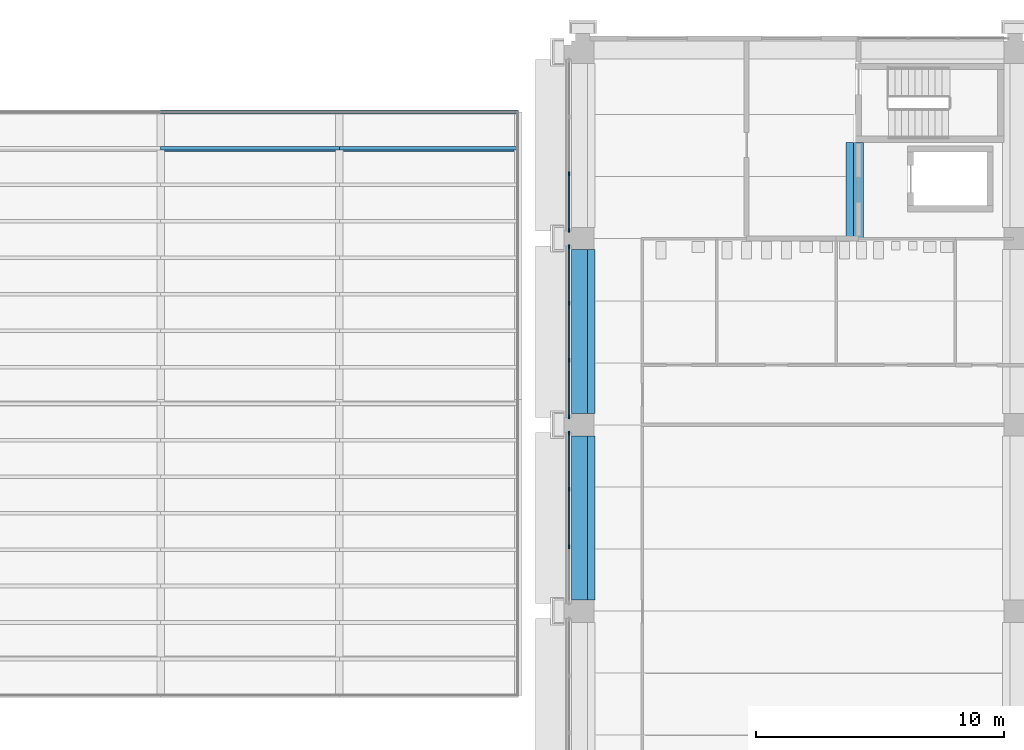
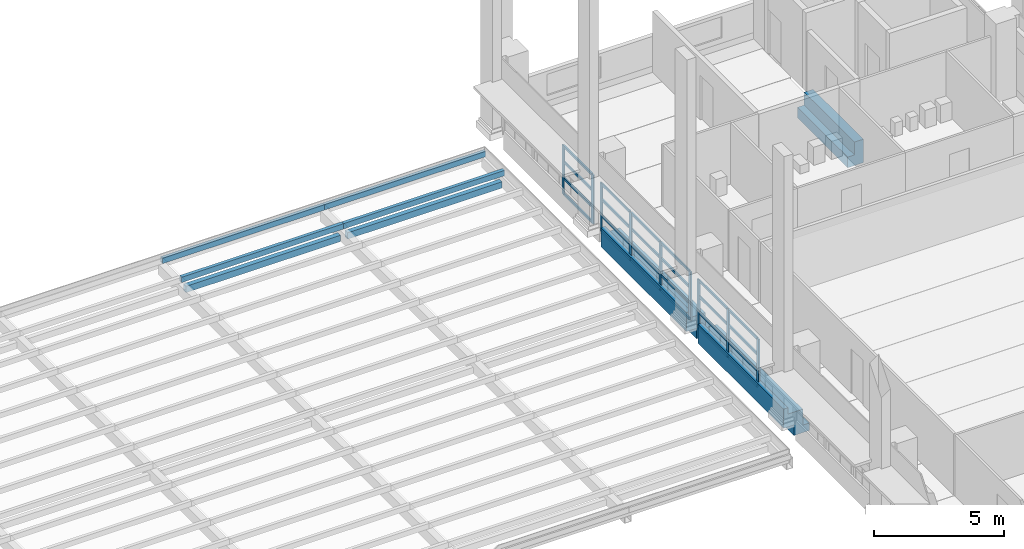
# One storey, part 25 of 67: 37 members, 5 beams, 3 elements without a shape of their own.
"""IFC4 building model written with IfcOpenShell, lengths in metres."""

import ifcopenshell
import ifcopenshell.guid

model = None  # the IFC model being written
_history = None  # IfcOwnerHistory: only IFC2X3 demands one
_inside = {}  # id of a spatial element -> (the spatial element, [elements in it])
_under = {}  # id of a project, library or spatial element -> (it, [spatial elements below it])
_declared = {}  # id of a project -> (the project, [libraries it declares])
_typed = {}  # id of a type object -> (the type object, [elements of that type])
_made_of = {}  # id of a material, layer set ... -> (it, [elements and type objects made of it])


def new_model(schema):
    """Start an empty IFC model of exactly this schema.

    Asked for "IFC4X3", IfcOpenShell would pick the latest addendum, in which some entities
    have other attributes; the version numbers below select the first issue.
    IFC2X3 requires an IfcOwnerHistory on every rooted entity: one is made here for all.
    """
    global model, _history
    if schema == "IFC4X3":
        model = ifcopenshell.file(schema_version=(4, 3, 0, 0))
    else:
        model = ifcopenshell.file(schema=schema)
    _inside.clear()
    _under.clear()
    _declared.clear()
    _typed.clear()
    _made_of.clear()
    _history = None
    if model.schema == "IFC2X3":
        org = make("IfcOrganization", Name="unknown")
        user = make(
            "IfcPersonAndOrganization",
            ThePerson=make("IfcPerson", FamilyName="unknown"),
            TheOrganization=org,
        )
        app = make(
            "IfcApplication",
            ApplicationDeveloper=org,
            Version="unknown",
            ApplicationFullName="unknown",
            ApplicationIdentifier="unknown",
        )
        _history = make(
            "IfcOwnerHistory",
            OwningUser=user,
            OwningApplication=app,
            ChangeAction="ADDED",
            CreationDate=0,
        )
    return model


def make(cls, **values):
    """One entity of the class cls with the attributes given. An attribute that is None is left unset."""
    return model.create_entity(
        cls, **{name: value for name, value in values.items() if value is not None}
    )


def rooted(cls, **values):
    """An entity with a GlobalId (a new one), such as an element, a storey or a relation."""
    return make(cls, GlobalId=ifcopenshell.guid.new(), OwnerHistory=_history, **values)


def si_unit(unit_type, name, prefix=None):
    """IfcSIUnit, for example si_unit("LENGTHUNIT", "METRE", prefix="MILLI")."""
    return make("IfcSIUnit", UnitType=unit_type, Prefix=prefix, Name=name)


def assignment(units):
    """IfcUnitAssignment: the units of a project."""
    return None if units is None else make("IfcUnitAssignment", Units=units)


def point(xyz):
    """IfcCartesianPoint."""
    return None if xyz is None else make("IfcCartesianPoint", Coordinates=xyz)


def direction(xyz):
    """IfcDirection."""
    return None if xyz is None else make("IfcDirection", DirectionRatios=xyz)


def frame(location, z_axis=None, x_axis=None):
    """IfcAxis2Placement3D, a coordinate frame: its origin and axes. An axis left out is left unset."""
    return make(
        "IfcAxis2Placement3D",
        Location=point(location),
        Axis=direction(z_axis),
        RefDirection=direction(x_axis),
    )


def frame_2d(location, x_axis=None):
    """IfcAxis2Placement2D, a coordinate frame in the plane: its origin and x axis."""
    return make(
        "IfcAxis2Placement2D", Location=point(location), RefDirection=direction(x_axis)
    )


def origin():
    """The frame at (0, 0, 0) with its axes left unset."""
    return frame((0.0, 0.0, 0.0))


def origin_2d():
    """The frame at (0, 0) in the plane with its x axis left unset."""
    return frame_2d((0.0, 0.0))


def place(relative_to, where):
    """IfcLocalPlacement: puts the frame where relative to a parent placement (None: the world)."""
    return make(
        "IfcLocalPlacement", PlacementRelTo=relative_to, RelativePlacement=where
    )


def context(
    kind, dimensions, precision=None, world=None, true_north=None, identifier=None
):
    """IfcGeometricRepresentationContext, for example the 3D "Model" context."""
    return make(
        "IfcGeometricRepresentationContext",
        ContextIdentifier=identifier,
        ContextType=kind,
        CoordinateSpaceDimension=dimensions,
        Precision=precision,
        WorldCoordinateSystem=world,
        TrueNorth=true_north,
    )


def subcontext(parent, identifier, kind, view, scale=None):
    """IfcGeometricRepresentationSubContext, for example "Body" below "Model"."""
    return make(
        "IfcGeometricRepresentationSubContext",
        ContextIdentifier=identifier,
        ContextType=kind,
        ParentContext=parent,
        TargetScale=scale,
        TargetView=view,
    )


def project(units=None, contexts=None):
    """IfcProject with its units and contexts."""
    return rooted(
        "IfcProject",
        Name="project",
        RepresentationContexts=contexts,
        UnitsInContext=assignment(units),
    )


def spatial(cls, under=None, at=None, **own):
    """A site, building, storey or space (cls), placed at a placement, below another one or the project."""
    s = rooted(cls, ObjectPlacement=at, **own)
    if under is not None:
        _under.setdefault(under.id(), (under, []))[1].append(s)
    return s


def polyline(points):
    """IfcPolyline through the points."""
    return make("IfcPolyline", Points=[point(p) for p in points])


def profile(cls, at=None, kind="AREA", **sizes):
    """A parametric profile (cls). Its sizes go by their IFC names, for example OverallWidth=200.0."""
    return make(cls, ProfileType=kind, Position=at, **sizes)


def rectangle(**sizes):
    """IfcRectangleProfileDef."""
    return profile("IfcRectangleProfileDef", **sizes)


def hollow_rectangle(**sizes):
    """IfcRectangleHollowProfileDef."""
    return profile("IfcRectangleHollowProfileDef", **sizes)


def outline(outer, holes=None, kind="AREA"):
    """IfcArbitraryClosedProfileDef: a profile drawn as a closed curve; with holes, ...WithVoids."""
    if holes is None:
        return make("IfcArbitraryClosedProfileDef", ProfileType=kind, OuterCurve=outer)
    return make(
        "IfcArbitraryProfileDefWithVoids",
        ProfileType=kind,
        OuterCurve=outer,
        InnerCurves=holes,
    )


def extrude(swept, where, along, depth):
    """IfcExtrudedAreaSolid: the profile swept, set in the frame where, extruded along a direction by depth."""
    return make(
        "IfcExtrudedAreaSolid",
        SweptArea=swept,
        Position=where,
        ExtrudedDirection=direction(along),
        Depth=depth,
    )


def shape(context_of_items, identifier, shape_type, items):
    """IfcShapeRepresentation: the items that make up one representation, for example the "Body"."""
    return make(
        "IfcShapeRepresentation",
        ContextOfItems=context_of_items,
        RepresentationIdentifier=identifier,
        RepresentationType=shape_type,
        Items=items,
    )


def material(Name=None, Category=None):
    """IfcMaterial."""
    return make("IfcMaterial", Name=Name, Category=Category)


def layer(
    of_material, thickness, ventilated=None, Name=None, Category=None, Priority=None
):
    """IfcMaterialLayer: one layer of a wall or slab, of a material (None: an air gap)."""
    return make(
        "IfcMaterialLayer",
        Material=of_material,
        LayerThickness=thickness,
        IsVentilated=ventilated,
        Name=Name,
        Category=Category,
        Priority=Priority,
    )


def layer_set(layers, Name=None):
    """IfcMaterialLayerSet."""
    return make("IfcMaterialLayerSet", MaterialLayers=layers, LayerSetName=Name)


def material_profile(
    of_material, cross_section, Name=None, Category=None, Priority=None
):
    """IfcMaterialProfile: a cross section and its material."""
    return make(
        "IfcMaterialProfile",
        Name=Name,
        Material=of_material,
        Profile=cross_section,
        Priority=Priority,
        Category=Category,
    )


def profile_set(profiles, Name=None, composite=None):
    """IfcMaterialProfileSet."""
    return make(
        "IfcMaterialProfileSet",
        Name=Name,
        MaterialProfiles=profiles,
        CompositeProfile=composite,
    )


def made_of(thing, what):
    """Note that an element or type object is made of a material, layer set ...; save() writes the relation."""
    if what is not None:
        _made_of.setdefault(what.id(), (what, []))[1].append(thing)
    return thing


def type_object(cls, material=None, **own):
    """A type object (cls), such as IfcWallType, which elements share."""
    return made_of(rooted(cls, **own), material)


def element(
    cls,
    number,
    at=None,
    inside=None,
    cuts=None,
    type_object=None,
    material=None,
    context=None,
    identifier="Body",
    shape_type=None,
    held_by="IfcProductDefinitionShape",
    body=None,
    shapes=None,
    **own,
):
    """One element of the class cls, such as IfcWall. Its Tag is "e" and its number.

    at: its placement. inside: the storey or other place that contains it. cuts: it is an
    opening in that element (IfcRelVoidsElement). A single representation is given by context,
    identifier, shape_type and body (its items); several are given by shapes. held_by: the class
    of the entity that holds the representations. save() writes the other relations.
    """
    e = rooted(cls, Tag="e%d" % number, ObjectPlacement=at, **own)
    if body is not None:
        shapes = [shape(context, identifier, shape_type, body)]
    if shapes is not None:
        e.Representation = make(held_by, Representations=shapes)
    if inside is not None:
        _inside.setdefault(inside.id(), (inside, []))[1].append(e)
    if cuts is not None:
        rooted(
            "IfcRelVoidsElement", RelatingBuildingElement=cuts, RelatedOpeningElement=e
        )
    if type_object is not None:
        _typed.setdefault(type_object.id(), (type_object, []))[1].append(e)
    return made_of(e, material)


def aggregate(whole, parts):
    """IfcRelAggregates: a whole, such as a stair, and the parts it consists of."""
    return rooted("IfcRelAggregates", RelatingObject=whole, RelatedObjects=parts)


def save(model, path):
    """Write the relations noted so far, then the file.

    IfcRelAggregates (storeys below a building ...), IfcRelContainedInSpatialStructure (elements
    in a storey), IfcRelDefinesByType, IfcRelAssociatesMaterial and IfcRelDeclares: one each for
    every whole, place, type object, material and project.
    """
    for whole, parts in _under.values():
        aggregate(whole, parts)
    for where, things in _inside.values():
        rooted(
            "IfcRelContainedInSpatialStructure",
            RelatedElements=things,
            RelatingStructure=where,
        )
    for kind, things in _typed.values():
        rooted("IfcRelDefinesByType", RelatedObjects=things, RelatingType=kind)
    for what, things in _made_of.values():
        rooted("IfcRelAssociatesMaterial", RelatedObjects=things, RelatingMaterial=what)
    for by, libraries in _declared.values():
        rooted("IfcRelDeclares", RelatingContext=by, RelatedDefinitions=libraries)
    model.write(path)


model = new_model("IFC4")

# Units and contexts
model_context = context("Model", 3, precision=1e-05, world=origin(), true_north=direction((0.0, 1.0)))
body_context = subcontext(model_context, "Body", "Model", "MODEL_VIEW")
ifc_project = project(units=[si_unit("LENGTHUNIT", "METRE"), si_unit("AREAUNIT", "SQUARE_METRE"), si_unit("VOLUMEUNIT", "CUBIC_METRE"), si_unit("PLANEANGLEUNIT", "RADIAN"), si_unit("MASSUNIT", "GRAM", prefix="KILO")], contexts=[model_context])

# Site, building, storey
site_placement = place(None, origin())
site = spatial("IfcSite", under=ifc_project, at=site_placement, CompositionType="ELEMENT")
building_placement = place(site_placement, origin())
building = spatial("IfcBuilding", under=site, at=building_placement, Name="Cour d'Honneur Mobility Palace", CompositionType="ELEMENT")
storey_placement = place(building_placement, frame((0.0, 0.0, 4.5)))
storey = spatial("IfcBuildingStorey", under=building, at=storey_placement, Name="L01", CompositionType="ELEMENT", Elevation=4.5)

# Members
ifc_material_1 = material(Name="Steel S355", Category="steel")
ifc_material_profile_1 = material_profile(ifc_material_1, hollow_rectangle(XDim=0.14990234375, YDim=0.25, WallThickness=0.010009765625, at=origin_2d()), Name="RHS 250x150x10")
ifc_profile_set_1 = profile_set([ifc_material_profile_1], Name="Steel S355")
member_type_1 = type_object("IfcMemberType", Name="Canopy purlin RHS 250x150x10", PredefinedType="PURLIN", material=ifc_profile_set_1)
member_1_placement = place(storey_placement, frame((127.89990234375, 111.03125, 1.125), z_axis=(1.0, 0.0, 0.0), x_axis=(0.0, 1.0, 0.0)))
element("IfcMember", 1, at=member_1_placement, inside=storey, type_object=member_type_1, Name="Canopy purlin FCP-E16.4", PredefinedType="PURLIN", context=body_context, shape_type="SweptSolid", body=[
    extrude(hollow_rectangle(XDim=0.14990234375, YDim=0.25, WallThickness=0.010009765625, at=origin_2d()), origin(), (0.0, 0.0, 1.0), 7.2001953125),
])
member_2_placement = place(storey_placement, frame((135.10009765625, 111.03125, 1.125), z_axis=(1.0, 0.0, 0.0), x_axis=(0.0, 1.0, 0.0)))
element("IfcMember", 2, at=member_2_placement, inside=storey, type_object=member_type_1, Name="Canopy purlin FCP-E16.5", PredefinedType="PURLIN", context=body_context, shape_type="SweptSolid", body=[
    extrude(hollow_rectangle(XDim=0.14990234375, YDim=0.25, WallThickness=0.010009765625, at=origin_2d()), origin(), (0.0, 0.0, 1.0), 7.199951171875),
])
member_3_placement = place(storey_placement, frame((127.89990234375, 112.5, 1.125), z_axis=(1.0, 0.0, 0.0), x_axis=(0.0, 1.0, 0.0)))
element("IfcMember", 3, at=member_3_placement, inside=storey, type_object=member_type_1, Name="Canopy purlin FCP-E17.4", PredefinedType="PURLIN", context=body_context, shape_type="SweptSolid", body=[
    extrude(hollow_rectangle(XDim=0.14990234375, YDim=0.25, WallThickness=0.010009765625, at=origin_2d()), origin(), (0.0, 0.0, 1.0), 7.2001953125),
])
member_4_placement = place(storey_placement, frame((135.10009765625, 112.5, 1.125), z_axis=(1.0, 0.0, 0.0), x_axis=(0.0, 1.0, 0.0)))
element("IfcMember", 4, at=member_4_placement, inside=storey, type_object=member_type_1, Name="Canopy purlin FCP-E17.5", PredefinedType="PURLIN", context=body_context, shape_type="SweptSolid", body=[
    extrude(hollow_rectangle(XDim=0.14990234375, YDim=0.25, WallThickness=0.010009765625, at=origin_2d()), origin(), (0.0, 0.0, 1.0), 7.199951171875),
])

# Beams
ifc_material_2 = material(Name="Steel S355", Category="steel")
ifc_material_profile_2 = material_profile(ifc_material_2, hollow_rectangle(XDim=0.199951171875, YDim=0.300048828125, WallThickness=0.012451171875, at=origin_2d()), Name="RHS 300x200x12.5")
ifc_profile_set_2 = profile_set([ifc_material_profile_2], Name="Steel S355")
beam_type_1 = type_object("IfcBeamType", Name="Canopy tie beam RHS 300x200x12.5", PredefinedType="BEAM", material=ifc_profile_set_2)
for number, where, z_axis, x_axis, name in (
    (5, (128.06201171875, 111.0, 0.64990234375), (1.0, 0.0, 0.0), (0.0, 1.0, 0.0), "Canopy tie beam FCT-E3.4"),
    (6, (135.261962890625, 111.0, 0.64990234375), (1.0, 0.0, 0.0), (0.0, 1.0, 0.0), "Canopy tie beam FCT-E3.5"),
):
    element("IfcBeam", number, at=place(storey_placement, frame(where, z_axis=z_axis, x_axis=x_axis)), inside=storey, type_object=beam_type_1, Name=name, PredefinedType="BEAM", context=body_context, shape_type="SweptSolid", body=[
        extrude(hollow_rectangle(XDim=0.199951171875, YDim=0.300048828125, WallThickness=0.012451171875, at=origin_2d()), origin(), (0.0, 0.0, 1.0), 6.8759765625),
    ])

# Curtain wall, members
ifc_material_3 = material(Name="Aluminium and glass", Category="aluminium")
ifc_layer = layer(ifc_material_3, 0.10009765625)
ifc_layer_set = layer_set([ifc_layer], Name="Aluminium and glass")
curtain_wall_type = type_object("IfcCurtainWallType", Name="Curtain wall run", PredefinedType="NOTDEFINED", material=ifc_layer_set)
curtain_wall_1_placement = place(storey_placement, origin())
curtain_wall_1 = element("IfcCurtainWall", 7, at=curtain_wall_1_placement, inside=storey, type_object=curtain_wall_type, Name="Curtain wall CW-44", PredefinedType="NOTDEFINED")
ifc_material_4 = material(Name="Aluminium", Category="aluminium")
ifc_material_profile_3 = material_profile(ifc_material_4, rectangle(XDim=0.06005859375, YDim=0.159912109375, at=origin_2d()), Name="Curtain wall mullion")
ifc_profile_set_3 = profile_set([ifc_material_profile_3], Name="Aluminium")
member_type_2 = type_object("IfcMemberType", Name="Curtain wall mullion", PredefinedType="MULLION", material=ifc_profile_set_3)
member_5_placement = place(storey_placement, frame((144.35009765625, 110.0, 0.0), z_axis=(0.0, 0.0, 1.0), x_axis=(1.0, 0.0, 0.0)))
member_5 = element("IfcMember", 8, at=member_5_placement, type_object=member_type_2, Name="CW-44 mullion 3", PredefinedType="MULLION", context=body_context, shape_type="SweptSolid", body=[
    extrude(rectangle(XDim=0.06005859375, YDim=0.159912109375, at=origin_2d()), origin(), (0.0, 0.0, 1.0), 2.300048828125),
])
member_6_placement = place(storey_placement, frame((144.35009765625, 107.72998046875, 0.0), z_axis=(0.0, 0.0, 1.0), x_axis=(1.0, 0.0, 0.0)))
member_6 = element("IfcMember", 9, at=member_6_placement, type_object=member_type_2, Name="CW-44 mullion 4", PredefinedType="MULLION", context=body_context, shape_type="SweptSolid", body=[
    extrude(rectangle(XDim=0.06005859375, YDim=0.159912109375, at=origin_2d()), origin(), (0.0, 0.0, 1.0), 2.300048828125),
])

curtain_wall_2_placement = place(storey_placement, origin())
curtain_wall_2 = element("IfcCurtainWall", 10, at=curtain_wall_2_placement, inside=storey, type_object=curtain_wall_type, Name="Curtain wall CW-45", PredefinedType="NOTDEFINED")
member_7_placement = place(storey_placement, frame((144.35009765625, 107.070068359375, 0.0), z_axis=(0.0, 0.0, 1.0), x_axis=(1.0, 0.0, 0.0)))
member_7 = element("IfcMember", 11, at=member_7_placement, type_object=member_type_2, Name="CW-45 mullion 1", PredefinedType="MULLION", context=body_context, shape_type="SweptSolid", body=[
    extrude(rectangle(XDim=0.06005859375, YDim=0.159912109375, at=origin_2d()), origin(), (0.0, 0.0, 1.0), 2.300048828125),
])
member_8_placement = place(storey_placement, frame((144.35009765625, 104.800048828125, 0.0), z_axis=(0.0, 0.0, 1.0), x_axis=(1.0, 0.0, 0.0)))
member_8 = element("IfcMember", 12, at=member_8_placement, type_object=member_type_2, Name="CW-45 mullion 2", PredefinedType="MULLION", context=body_context, shape_type="SweptSolid", body=[
    extrude(rectangle(XDim=0.06005859375, YDim=0.159912109375, at=origin_2d()), origin(), (0.0, 0.0, 1.0), 2.300048828125),
])
member_9_placement = place(storey_placement, frame((144.35009765625, 102.5, 0.0), z_axis=(0.0, 0.0, 1.0), x_axis=(1.0, 0.0, 0.0)))
member_9 = element("IfcMember", 13, at=member_9_placement, type_object=member_type_2, Name="CW-45 mullion 3", PredefinedType="MULLION", context=body_context, shape_type="SweptSolid", body=[
    extrude(rectangle(XDim=0.06005859375, YDim=0.159912109375, at=origin_2d()), origin(), (0.0, 0.0, 1.0), 2.300048828125),
])
member_10_placement = place(storey_placement, frame((144.35009765625, 100.22998046875, 0.0), z_axis=(0.0, 0.0, 1.0), x_axis=(1.0, 0.0, 0.0)))
member_10 = element("IfcMember", 14, at=member_10_placement, type_object=member_type_2, Name="CW-45 mullion 4", PredefinedType="MULLION", context=body_context, shape_type="SweptSolid", body=[
    extrude(rectangle(XDim=0.06005859375, YDim=0.159912109375, at=origin_2d()), origin(), (0.0, 0.0, 1.0), 2.300048828125),
])

curtain_wall_3_placement = place(storey_placement, origin())
curtain_wall_3 = element("IfcCurtainWall", 15, at=curtain_wall_3_placement, inside=storey, type_object=curtain_wall_type, Name="Curtain wall CW-46", PredefinedType="NOTDEFINED")
member_11_placement = place(storey_placement, frame((144.35009765625, 99.570068359375, 0.0), z_axis=(0.0, 0.0, 1.0), x_axis=(1.0, 0.0, 0.0)))
member_11 = element("IfcMember", 16, at=member_11_placement, type_object=member_type_2, Name="CW-46 mullion 1", PredefinedType="MULLION", context=body_context, shape_type="SweptSolid", body=[
    extrude(rectangle(XDim=0.06005859375, YDim=0.159912109375, at=origin_2d()), origin(), (0.0, 0.0, 1.0), 2.300048828125),
])
member_12_placement = place(storey_placement, frame((144.35009765625, 97.300048828125, 0.0), z_axis=(0.0, 0.0, 1.0), x_axis=(1.0, 0.0, 0.0)))
member_12 = element("IfcMember", 17, at=member_12_placement, type_object=member_type_2, Name="CW-46 mullion 2", PredefinedType="MULLION", context=body_context, shape_type="SweptSolid", body=[
    extrude(rectangle(XDim=0.06005859375, YDim=0.159912109375, at=origin_2d()), origin(), (0.0, 0.0, 1.0), 2.300048828125),
])
member_13_placement = place(storey_placement, frame((144.35009765625, 95.0, 0.0), z_axis=(0.0, 0.0, 1.0), x_axis=(1.0, 0.0, 0.0)))
member_13 = element("IfcMember", 18, at=member_13_placement, type_object=member_type_2, Name="CW-46 mullion 3", PredefinedType="MULLION", context=body_context, shape_type="SweptSolid", body=[
    extrude(rectangle(XDim=0.06005859375, YDim=0.159912109375, at=origin_2d()), origin(), (0.0, 0.0, 1.0), 2.300048828125),
])

# Member
ifc_material_5 = material(Name="Aluminium", Category="aluminium")
ifc_material_profile_4 = material_profile(ifc_material_5, rectangle(XDim=0.06005859375, YDim=0.1201171875, at=origin_2d()), Name="Curtain wall transom")
ifc_profile_set_4 = profile_set([ifc_material_profile_4], Name="Aluminium")
member_type_3 = type_object("IfcMemberType", Name="Curtain wall transom", PredefinedType="USERDEFINED", material=ifc_profile_set_4)
member_14_placement = place(storey_placement, frame((144.35009765625, 109.969970703125, 0.030029296875), z_axis=(0.0, -1.0, 0.0), x_axis=(1.0, 0.0, 0.0)))
member_14 = element("IfcMember", 19, at=member_14_placement, type_object=member_type_3, Name="CW-44 transom 3.1", ObjectType="TRANSOM", PredefinedType="USERDEFINED", context=body_context, shape_type="SweptSolid", body=[
    extrude(rectangle(XDim=0.06005859375, YDim=0.1201171875, at=origin_2d()), origin(), (0.0, 0.0, 1.0), 2.2099609375),
])

member_15_placement = place(storey_placement, frame((144.35009765625, 109.969970703125, 0.7666015625), z_axis=(0.0, -1.0, 0.0), x_axis=(1.0, 0.0, 0.0)))
member_15 = element("IfcMember", 20, at=member_15_placement, type_object=member_type_3, Name="CW-44 transom 3.2", ObjectType="TRANSOM", PredefinedType="USERDEFINED", context=body_context, shape_type="SweptSolid", body=[
    extrude(rectangle(XDim=0.06005859375, YDim=0.1201171875, at=origin_2d()), origin(), (0.0, 0.0, 1.0), 2.2099609375),
])

member_16_placement = place(storey_placement, frame((144.35009765625, 109.969970703125, 1.533447265625), z_axis=(0.0, -1.0, 0.0), x_axis=(1.0, 0.0, 0.0)))
member_16 = element("IfcMember", 21, at=member_16_placement, type_object=member_type_3, Name="CW-44 transom 3.3", ObjectType="TRANSOM", PredefinedType="USERDEFINED", context=body_context, shape_type="SweptSolid", body=[
    extrude(rectangle(XDim=0.06005859375, YDim=0.1201171875, at=origin_2d()), origin(), (0.0, 0.0, 1.0), 2.2099609375),
])

member_17_placement = place(storey_placement, frame((144.35009765625, 109.969970703125, 2.27001953125), z_axis=(0.0, -1.0, 0.0), x_axis=(1.0, 0.0, 0.0)))
member_17 = element("IfcMember", 22, at=member_17_placement, type_object=member_type_3, Name="CW-44 transom 3.4", ObjectType="TRANSOM", PredefinedType="USERDEFINED", context=body_context, shape_type="SweptSolid", body=[
    extrude(rectangle(XDim=0.06005859375, YDim=0.1201171875, at=origin_2d()), origin(), (0.0, 0.0, 1.0), 2.2099609375),
])

aggregate(curtain_wall_1, [member_5, member_6, member_14, member_15, member_16, member_17])

member_18_placement = place(storey_placement, frame((144.35009765625, 107.0400390625, 0.030029296875), z_axis=(0.0, -1.0, 0.0), x_axis=(1.0, 0.0, 0.0)))
member_18 = element("IfcMember", 23, at=member_18_placement, type_object=member_type_3, Name="CW-45 transom 1.1", ObjectType="TRANSOM", PredefinedType="USERDEFINED", context=body_context, shape_type="SweptSolid", body=[
    extrude(rectangle(XDim=0.06005859375, YDim=0.1201171875, at=origin_2d()), origin(), (0.0, 0.0, 1.0), 2.2099609375),
])

member_19_placement = place(storey_placement, frame((144.35009765625, 107.0400390625, 0.7666015625), z_axis=(0.0, -1.0, 0.0), x_axis=(1.0, 0.0, 0.0)))
member_19 = element("IfcMember", 24, at=member_19_placement, type_object=member_type_3, Name="CW-45 transom 1.2", ObjectType="TRANSOM", PredefinedType="USERDEFINED", context=body_context, shape_type="SweptSolid", body=[
    extrude(rectangle(XDim=0.06005859375, YDim=0.1201171875, at=origin_2d()), origin(), (0.0, 0.0, 1.0), 2.2099609375),
])

member_20_placement = place(storey_placement, frame((144.35009765625, 107.0400390625, 1.533447265625), z_axis=(0.0, -1.0, 0.0), x_axis=(1.0, 0.0, 0.0)))
member_20 = element("IfcMember", 25, at=member_20_placement, type_object=member_type_3, Name="CW-45 transom 1.3", ObjectType="TRANSOM", PredefinedType="USERDEFINED", context=body_context, shape_type="SweptSolid", body=[
    extrude(rectangle(XDim=0.06005859375, YDim=0.1201171875, at=origin_2d()), origin(), (0.0, 0.0, 1.0), 2.2099609375),
])

member_21_placement = place(storey_placement, frame((144.35009765625, 107.0400390625, 2.27001953125), z_axis=(0.0, -1.0, 0.0), x_axis=(1.0, 0.0, 0.0)))
member_21 = element("IfcMember", 26, at=member_21_placement, type_object=member_type_3, Name="CW-45 transom 1.4", ObjectType="TRANSOM", PredefinedType="USERDEFINED", context=body_context, shape_type="SweptSolid", body=[
    extrude(rectangle(XDim=0.06005859375, YDim=0.1201171875, at=origin_2d()), origin(), (0.0, 0.0, 1.0), 2.2099609375),
])

member_22_placement = place(storey_placement, frame((144.35009765625, 104.77001953125, 0.030029296875), z_axis=(0.0, -1.0, 0.0), x_axis=(1.0, 0.0, 0.0)))
member_22 = element("IfcMember", 27, at=member_22_placement, type_object=member_type_3, Name="CW-45 transom 2.1", ObjectType="TRANSOM", PredefinedType="USERDEFINED", context=body_context, shape_type="SweptSolid", body=[
    extrude(rectangle(XDim=0.06005859375, YDim=0.1201171875, at=origin_2d()), origin(), (0.0, 0.0, 1.0), 2.239990234375),
])

member_23_placement = place(storey_placement, frame((144.35009765625, 104.77001953125, 0.7666015625), z_axis=(0.0, -1.0, 0.0), x_axis=(1.0, 0.0, 0.0)))
member_23 = element("IfcMember", 28, at=member_23_placement, type_object=member_type_3, Name="CW-45 transom 2.2", ObjectType="TRANSOM", PredefinedType="USERDEFINED", context=body_context, shape_type="SweptSolid", body=[
    extrude(rectangle(XDim=0.06005859375, YDim=0.1201171875, at=origin_2d()), origin(), (0.0, 0.0, 1.0), 2.239990234375),
])

member_24_placement = place(storey_placement, frame((144.35009765625, 104.77001953125, 1.533447265625), z_axis=(0.0, -1.0, 0.0), x_axis=(1.0, 0.0, 0.0)))
member_24 = element("IfcMember", 29, at=member_24_placement, type_object=member_type_3, Name="CW-45 transom 2.3", ObjectType="TRANSOM", PredefinedType="USERDEFINED", context=body_context, shape_type="SweptSolid", body=[
    extrude(rectangle(XDim=0.06005859375, YDim=0.1201171875, at=origin_2d()), origin(), (0.0, 0.0, 1.0), 2.239990234375),
])

member_25_placement = place(storey_placement, frame((144.35009765625, 104.77001953125, 2.27001953125), z_axis=(0.0, -1.0, 0.0), x_axis=(1.0, 0.0, 0.0)))
member_25 = element("IfcMember", 30, at=member_25_placement, type_object=member_type_3, Name="CW-45 transom 2.4", ObjectType="TRANSOM", PredefinedType="USERDEFINED", context=body_context, shape_type="SweptSolid", body=[
    extrude(rectangle(XDim=0.06005859375, YDim=0.1201171875, at=origin_2d()), origin(), (0.0, 0.0, 1.0), 2.239990234375),
])

member_26_placement = place(storey_placement, frame((144.35009765625, 102.469970703125, 0.030029296875), z_axis=(0.0, -1.0, 0.0), x_axis=(1.0, 0.0, 0.0)))
member_26 = element("IfcMember", 31, at=member_26_placement, type_object=member_type_3, Name="CW-45 transom 3.1", ObjectType="TRANSOM", PredefinedType="USERDEFINED", context=body_context, shape_type="SweptSolid", body=[
    extrude(rectangle(XDim=0.06005859375, YDim=0.1201171875, at=origin_2d()), origin(), (0.0, 0.0, 1.0), 2.2099609375),
])

member_27_placement = place(storey_placement, frame((144.35009765625, 102.469970703125, 0.7666015625), z_axis=(0.0, -1.0, 0.0), x_axis=(1.0, 0.0, 0.0)))
member_27 = element("IfcMember", 32, at=member_27_placement, type_object=member_type_3, Name="CW-45 transom 3.2", ObjectType="TRANSOM", PredefinedType="USERDEFINED", context=body_context, shape_type="SweptSolid", body=[
    extrude(rectangle(XDim=0.06005859375, YDim=0.1201171875, at=origin_2d()), origin(), (0.0, 0.0, 1.0), 2.2099609375),
])

member_28_placement = place(storey_placement, frame((144.35009765625, 102.469970703125, 1.533447265625), z_axis=(0.0, -1.0, 0.0), x_axis=(1.0, 0.0, 0.0)))
member_28 = element("IfcMember", 33, at=member_28_placement, type_object=member_type_3, Name="CW-45 transom 3.3", ObjectType="TRANSOM", PredefinedType="USERDEFINED", context=body_context, shape_type="SweptSolid", body=[
    extrude(rectangle(XDim=0.06005859375, YDim=0.1201171875, at=origin_2d()), origin(), (0.0, 0.0, 1.0), 2.2099609375),
])

member_29_placement = place(storey_placement, frame((144.35009765625, 102.469970703125, 2.27001953125), z_axis=(0.0, -1.0, 0.0), x_axis=(1.0, 0.0, 0.0)))
member_29 = element("IfcMember", 34, at=member_29_placement, type_object=member_type_3, Name="CW-45 transom 3.4", ObjectType="TRANSOM", PredefinedType="USERDEFINED", context=body_context, shape_type="SweptSolid", body=[
    extrude(rectangle(XDim=0.06005859375, YDim=0.1201171875, at=origin_2d()), origin(), (0.0, 0.0, 1.0), 2.2099609375),
])

aggregate(curtain_wall_2, [member_7, member_8, member_9, member_10, member_18, member_19, member_20, member_21, member_22, member_23, member_24, member_25, member_26, member_27, member_28, member_29])

member_30_placement = place(storey_placement, frame((144.35009765625, 99.5400390625, 0.030029296875), z_axis=(0.0, -1.0, 0.0), x_axis=(1.0, 0.0, 0.0)))
member_30 = element("IfcMember", 35, at=member_30_placement, type_object=member_type_3, Name="CW-46 transom 1.1", ObjectType="TRANSOM", PredefinedType="USERDEFINED", context=body_context, shape_type="SweptSolid", body=[
    extrude(rectangle(XDim=0.06005859375, YDim=0.1201171875, at=origin_2d()), origin(), (0.0, 0.0, 1.0), 2.2099609375),
])

member_31_placement = place(storey_placement, frame((144.35009765625, 99.5400390625, 0.7666015625), z_axis=(0.0, -1.0, 0.0), x_axis=(1.0, 0.0, 0.0)))
member_31 = element("IfcMember", 36, at=member_31_placement, type_object=member_type_3, Name="CW-46 transom 1.2", ObjectType="TRANSOM", PredefinedType="USERDEFINED", context=body_context, shape_type="SweptSolid", body=[
    extrude(rectangle(XDim=0.06005859375, YDim=0.1201171875, at=origin_2d()), origin(), (0.0, 0.0, 1.0), 2.2099609375),
])

member_32_placement = place(storey_placement, frame((144.35009765625, 99.5400390625, 1.533447265625), z_axis=(0.0, -1.0, 0.0), x_axis=(1.0, 0.0, 0.0)))
member_32 = element("IfcMember", 37, at=member_32_placement, type_object=member_type_3, Name="CW-46 transom 1.3", ObjectType="TRANSOM", PredefinedType="USERDEFINED", context=body_context, shape_type="SweptSolid", body=[
    extrude(rectangle(XDim=0.06005859375, YDim=0.1201171875, at=origin_2d()), origin(), (0.0, 0.0, 1.0), 2.2099609375),
])

member_33_placement = place(storey_placement, frame((144.35009765625, 99.5400390625, 2.27001953125), z_axis=(0.0, -1.0, 0.0), x_axis=(1.0, 0.0, 0.0)))
member_33 = element("IfcMember", 38, at=member_33_placement, type_object=member_type_3, Name="CW-46 transom 1.4", ObjectType="TRANSOM", PredefinedType="USERDEFINED", context=body_context, shape_type="SweptSolid", body=[
    extrude(rectangle(XDim=0.06005859375, YDim=0.1201171875, at=origin_2d()), origin(), (0.0, 0.0, 1.0), 2.2099609375),
])

member_34_placement = place(storey_placement, frame((144.35009765625, 97.27001953125, 0.030029296875), z_axis=(0.0, -1.0, 0.0), x_axis=(1.0, 0.0, 0.0)))
member_34 = element("IfcMember", 39, at=member_34_placement, type_object=member_type_3, Name="CW-46 transom 2.1", ObjectType="TRANSOM", PredefinedType="USERDEFINED", context=body_context, shape_type="SweptSolid", body=[
    extrude(rectangle(XDim=0.06005859375, YDim=0.1201171875, at=origin_2d()), origin(), (0.0, 0.0, 1.0), 2.239990234375),
])

member_35_placement = place(storey_placement, frame((144.35009765625, 97.27001953125, 0.7666015625), z_axis=(0.0, -1.0, 0.0), x_axis=(1.0, 0.0, 0.0)))
member_35 = element("IfcMember", 40, at=member_35_placement, type_object=member_type_3, Name="CW-46 transom 2.2", ObjectType="TRANSOM", PredefinedType="USERDEFINED", context=body_context, shape_type="SweptSolid", body=[
    extrude(rectangle(XDim=0.06005859375, YDim=0.1201171875, at=origin_2d()), origin(), (0.0, 0.0, 1.0), 2.239990234375),
])

member_36_placement = place(storey_placement, frame((144.35009765625, 97.27001953125, 1.533447265625), z_axis=(0.0, -1.0, 0.0), x_axis=(1.0, 0.0, 0.0)))
member_36 = element("IfcMember", 41, at=member_36_placement, type_object=member_type_3, Name="CW-46 transom 2.3", ObjectType="TRANSOM", PredefinedType="USERDEFINED", context=body_context, shape_type="SweptSolid", body=[
    extrude(rectangle(XDim=0.06005859375, YDim=0.1201171875, at=origin_2d()), origin(), (0.0, 0.0, 1.0), 2.239990234375),
])

member_37_placement = place(storey_placement, frame((144.35009765625, 97.27001953125, 2.27001953125), z_axis=(0.0, -1.0, 0.0), x_axis=(1.0, 0.0, 0.0)))
member_37 = element("IfcMember", 42, at=member_37_placement, type_object=member_type_3, Name="CW-46 transom 2.4", ObjectType="TRANSOM", PredefinedType="USERDEFINED", context=body_context, shape_type="SweptSolid", body=[
    extrude(rectangle(XDim=0.06005859375, YDim=0.1201171875, at=origin_2d()), origin(), (0.0, 0.0, 1.0), 2.239990234375),
])

aggregate(curtain_wall_3, [member_11, member_12, member_13, member_30, member_31, member_32, member_33, member_34, member_35, member_36, member_37])

# Beams
ifc_material_6 = material(Name="Concrete C45", Category="concrete")
ifc_material_profile_5 = material_profile(ifc_material_6, outline(polyline([(0.5, -1.10009765625), (0.5, -0.60009765625), (0.199951171875, -0.60009765625), (0.199951171875, 0.0), (-0.199951171875, 0.0), (-0.199951171875, -1.10009765625), (0.5, -1.10009765625)])), Name="Ledger Beam 400x1100 ledge left 500 plain")
ifc_profile_set_5 = profile_set([ifc_material_profile_5], Name="Concrete C45")
beam_type_2 = type_object("IfcBeamType", Name="Ledger Beam 400x1100 ledge left 500 plain", PredefinedType="BEAM", material=ifc_profile_set_5)
beam_placement = place(storey_placement, frame((156.0, 107.39990234375, 0.0), z_axis=(0.0, 1.0, 0.0), x_axis=(-1.0, 0.0, 0.0)))
element("IfcBeam", 43, at=beam_placement, inside=storey, type_object=beam_type_2, Name="Precast beam B20 P- L01", PredefinedType="BEAM", context=body_context, shape_type="SweptSolid", body=[
    extrude(outline(polyline([(0.5, -1.10009765625), (0.5, -0.60009765625), (0.199951171875, -0.60009765625), (0.199951171875, 0.0), (-0.199951171875, 0.0), (-0.199951171875, -1.10009765625), (0.5, -1.10009765625)])), origin(), (0.0, 0.0, 1.0), 3.875),
])
ifc_material_7 = material(Name="Concrete C45", Category="concrete")
ifc_material_profile_6 = material_profile(ifc_material_7, outline(polyline([(0.199951171875, -1.10009765625), (0.199951171875, -0.60009765625), (0.64990234375, -0.60009765625), (0.64990234375, 0.300048828125), (0.449951171875, 0.300048828125), (0.449951171875, 0.0), (0.199951171875, 0.0), (-0.199951171875, 0.0), (-0.199951171875, -0.75), (-0.5, -0.75), (-0.5, -1.10009765625), (0.199951171875, -1.10009765625)])), Name="Ledger Beam 400x1100 ledge right 350 facade left")
ifc_profile_set_6 = profile_set([ifc_material_profile_6], Name="Concrete C45")
beam_type_3 = type_object("IfcBeamType", Name="Ledger Beam 400x1100 ledge right 350 facade left", PredefinedType="BEAM", material=ifc_profile_set_6)
for number, where, z_axis, x_axis, name in (
    (44, (144.89990234375, 92.85009765625, 0.0), (0.0, 1.0, 0.0), (-1.0, 0.0, 0.0), "Precast beam B4 M-N L01"),
    (45, (144.89990234375, 100.35009765625, 0.0), (0.0, 1.0, 0.0), (-1.0, 0.0, 0.0), "Precast beam B4 N-P L01"),
):
    element("IfcBeam", number, at=place(storey_placement, frame(where, z_axis=z_axis, x_axis=x_axis)), inside=storey, type_object=beam_type_3, Name=name, PredefinedType="BEAM", context=body_context, shape_type="SweptSolid", body=[
        extrude(outline(polyline([(0.199951171875, -1.10009765625), (0.199951171875, -0.60009765625), (0.64990234375, -0.60009765625), (0.64990234375, 0.300048828125), (0.449951171875, 0.300048828125), (0.449951171875, 0.0), (0.199951171875, 0.0), (-0.199951171875, 0.0), (-0.199951171875, -0.75), (-0.5, -0.75), (-0.5, -1.10009765625), (0.199951171875, -1.10009765625)])), origin(), (0.0, 0.0, 1.0), 6.599853515625),
    ])

save(model, "model.ifc")
